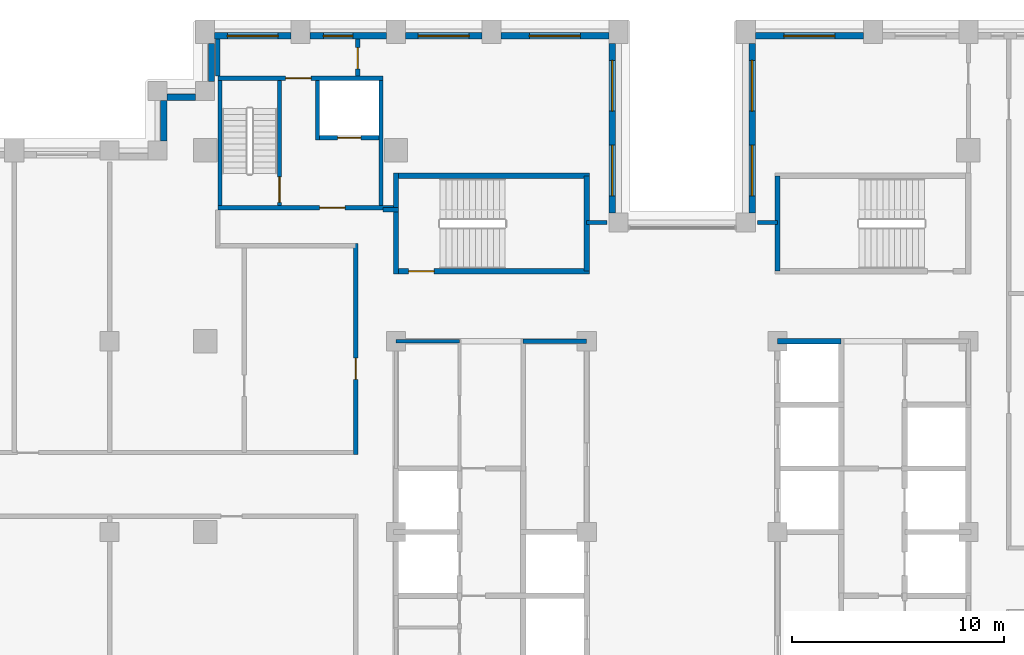
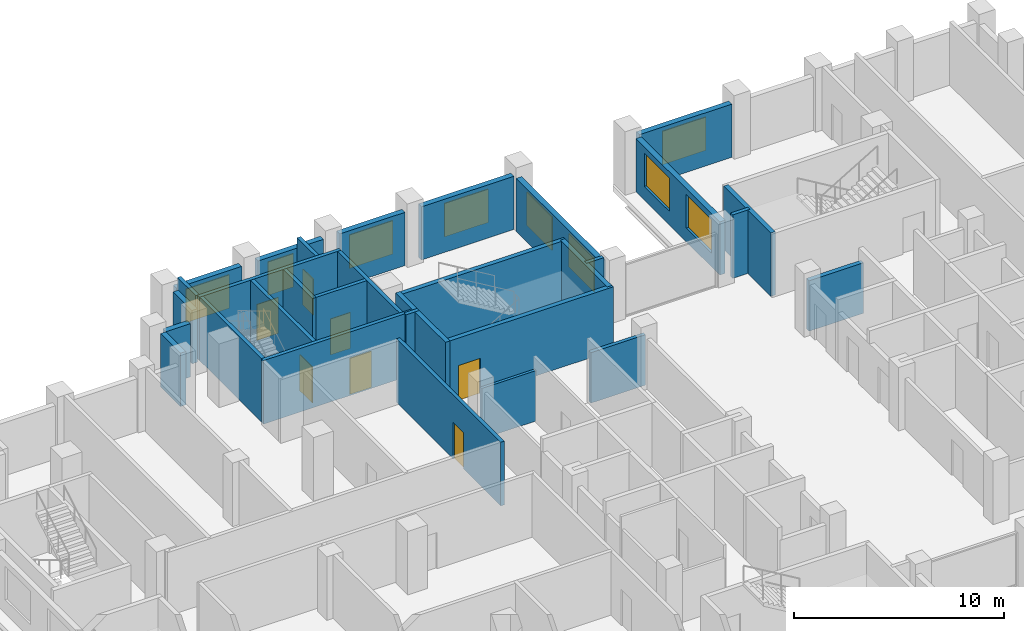
# One storey, part 10 of 15: 31 walls, 9 windows, 7 doors, 16 openings.
"""IFC4 building model written with IfcOpenShell, lengths in metres."""

import ifcopenshell
import ifcopenshell.guid

model = None  # the IFC model being written
_history = None  # IfcOwnerHistory: only IFC2X3 demands one
_inside = {}  # id of a spatial element -> (the spatial element, [elements in it])
_under = {}  # id of a project, library or spatial element -> (it, [spatial elements below it])
_declared = {}  # id of a project -> (the project, [libraries it declares])
_typed = {}  # id of a type object -> (the type object, [elements of that type])
_made_of = {}  # id of a material, layer set ... -> (it, [elements and type objects made of it])


def new_model(schema):
    """Start an empty IFC model of exactly this schema.

    Asked for "IFC4X3", IfcOpenShell would pick the latest addendum, in which some entities
    have other attributes; the version numbers below select the first issue.
    IFC2X3 requires an IfcOwnerHistory on every rooted entity: one is made here for all.
    """
    global model, _history
    if schema == "IFC4X3":
        model = ifcopenshell.file(schema_version=(4, 3, 0, 0))
    else:
        model = ifcopenshell.file(schema=schema)
    _inside.clear()
    _under.clear()
    _declared.clear()
    _typed.clear()
    _made_of.clear()
    _history = None
    if model.schema == "IFC2X3":
        org = make("IfcOrganization", Name="unknown")
        user = make(
            "IfcPersonAndOrganization",
            ThePerson=make("IfcPerson", FamilyName="unknown"),
            TheOrganization=org,
        )
        app = make(
            "IfcApplication",
            ApplicationDeveloper=org,
            Version="unknown",
            ApplicationFullName="unknown",
            ApplicationIdentifier="unknown",
        )
        _history = make(
            "IfcOwnerHistory",
            OwningUser=user,
            OwningApplication=app,
            ChangeAction="ADDED",
            CreationDate=0,
        )
    return model


def make(cls, **values):
    """One entity of the class cls with the attributes given. An attribute that is None is left unset."""
    return model.create_entity(
        cls, **{name: value for name, value in values.items() if value is not None}
    )


def rooted(cls, **values):
    """An entity with a GlobalId (a new one), such as an element, a storey or a relation."""
    return make(cls, GlobalId=ifcopenshell.guid.new(), OwnerHistory=_history, **values)


def si_unit(unit_type, name, prefix=None):
    """IfcSIUnit, for example si_unit("LENGTHUNIT", "METRE", prefix="MILLI")."""
    return make("IfcSIUnit", UnitType=unit_type, Prefix=prefix, Name=name)


def assignment(units):
    """IfcUnitAssignment: the units of a project."""
    return None if units is None else make("IfcUnitAssignment", Units=units)


def point(xyz):
    """IfcCartesianPoint."""
    return None if xyz is None else make("IfcCartesianPoint", Coordinates=xyz)


def direction(xyz):
    """IfcDirection."""
    return None if xyz is None else make("IfcDirection", DirectionRatios=xyz)


def frame(location, z_axis=None, x_axis=None):
    """IfcAxis2Placement3D, a coordinate frame: its origin and axes. An axis left out is left unset."""
    return make(
        "IfcAxis2Placement3D",
        Location=point(location),
        Axis=direction(z_axis),
        RefDirection=direction(x_axis),
    )


def frame_2d(location, x_axis=None):
    """IfcAxis2Placement2D, a coordinate frame in the plane: its origin and x axis."""
    return make(
        "IfcAxis2Placement2D", Location=point(location), RefDirection=direction(x_axis)
    )


def origin():
    """The frame at (0, 0, 0) with its axes left unset."""
    return frame((0.0, 0.0, 0.0))


def place(relative_to, where):
    """IfcLocalPlacement: puts the frame where relative to a parent placement (None: the world)."""
    return make(
        "IfcLocalPlacement", PlacementRelTo=relative_to, RelativePlacement=where
    )


def context(
    kind, dimensions, precision=None, world=None, true_north=None, identifier=None
):
    """IfcGeometricRepresentationContext, for example the 3D "Model" context."""
    return make(
        "IfcGeometricRepresentationContext",
        ContextIdentifier=identifier,
        ContextType=kind,
        CoordinateSpaceDimension=dimensions,
        Precision=precision,
        WorldCoordinateSystem=world,
        TrueNorth=true_north,
    )


def subcontext(parent, identifier, kind, view, scale=None):
    """IfcGeometricRepresentationSubContext, for example "Body" below "Model"."""
    return make(
        "IfcGeometricRepresentationSubContext",
        ContextIdentifier=identifier,
        ContextType=kind,
        ParentContext=parent,
        TargetScale=scale,
        TargetView=view,
    )


def project(units=None, contexts=None):
    """IfcProject with its units and contexts."""
    return rooted(
        "IfcProject",
        Name="project",
        RepresentationContexts=contexts,
        UnitsInContext=assignment(units),
    )


def spatial(cls, under=None, at=None, **own):
    """A site, building, storey or space (cls), placed at a placement, below another one or the project."""
    s = rooted(cls, ObjectPlacement=at, **own)
    if under is not None:
        _under.setdefault(under.id(), (under, []))[1].append(s)
    return s


def profile(cls, at=None, kind="AREA", **sizes):
    """A parametric profile (cls). Its sizes go by their IFC names, for example OverallWidth=200.0."""
    return make(cls, ProfileType=kind, Position=at, **sizes)


def rectangle(**sizes):
    """IfcRectangleProfileDef."""
    return profile("IfcRectangleProfileDef", **sizes)


def extrude(swept, where, along, depth):
    """IfcExtrudedAreaSolid: the profile swept, set in the frame where, extruded along a direction by depth."""
    return make(
        "IfcExtrudedAreaSolid",
        SweptArea=swept,
        Position=where,
        ExtrudedDirection=direction(along),
        Depth=depth,
    )


def shape(context_of_items, identifier, shape_type, items):
    """IfcShapeRepresentation: the items that make up one representation, for example the "Body"."""
    return make(
        "IfcShapeRepresentation",
        ContextOfItems=context_of_items,
        RepresentationIdentifier=identifier,
        RepresentationType=shape_type,
        Items=items,
    )


def material(Name=None, Category=None):
    """IfcMaterial."""
    return make("IfcMaterial", Name=Name, Category=Category)


def layer(
    of_material, thickness, ventilated=None, Name=None, Category=None, Priority=None
):
    """IfcMaterialLayer: one layer of a wall or slab, of a material (None: an air gap)."""
    return make(
        "IfcMaterialLayer",
        Material=of_material,
        LayerThickness=thickness,
        IsVentilated=ventilated,
        Name=Name,
        Category=Category,
        Priority=Priority,
    )


def layer_set(layers, Name=None):
    """IfcMaterialLayerSet."""
    return make("IfcMaterialLayerSet", MaterialLayers=layers, LayerSetName=Name)


def made_of(thing, what):
    """Note that an element or type object is made of a material, layer set ...; save() writes the relation."""
    if what is not None:
        _made_of.setdefault(what.id(), (what, []))[1].append(thing)
    return thing


def type_object(cls, material=None, **own):
    """A type object (cls), such as IfcWallType, which elements share."""
    return made_of(rooted(cls, **own), material)


def element(
    cls,
    number,
    at=None,
    inside=None,
    cuts=None,
    type_object=None,
    material=None,
    context=None,
    identifier="Body",
    shape_type=None,
    held_by="IfcProductDefinitionShape",
    body=None,
    shapes=None,
    **own,
):
    """One element of the class cls, such as IfcWall. Its Tag is "e" and its number.

    at: its placement. inside: the storey or other place that contains it. cuts: it is an
    opening in that element (IfcRelVoidsElement). A single representation is given by context,
    identifier, shape_type and body (its items); several are given by shapes. held_by: the class
    of the entity that holds the representations. save() writes the other relations.
    """
    e = rooted(cls, Tag="e%d" % number, ObjectPlacement=at, **own)
    if body is not None:
        shapes = [shape(context, identifier, shape_type, body)]
    if shapes is not None:
        e.Representation = make(held_by, Representations=shapes)
    if inside is not None:
        _inside.setdefault(inside.id(), (inside, []))[1].append(e)
    if cuts is not None:
        rooted(
            "IfcRelVoidsElement", RelatingBuildingElement=cuts, RelatedOpeningElement=e
        )
    if type_object is not None:
        _typed.setdefault(type_object.id(), (type_object, []))[1].append(e)
    return made_of(e, material)


def fill(opening, filler):
    """IfcRelFillsElement: the door or window that sits in an opening."""
    return rooted(
        "IfcRelFillsElement",
        RelatingOpeningElement=opening,
        RelatedBuildingElement=filler,
    )


def aggregate(whole, parts):
    """IfcRelAggregates: a whole, such as a stair, and the parts it consists of."""
    return rooted("IfcRelAggregates", RelatingObject=whole, RelatedObjects=parts)


def save(model, path):
    """Write the relations noted so far, then the file.

    IfcRelAggregates (storeys below a building ...), IfcRelContainedInSpatialStructure (elements
    in a storey), IfcRelDefinesByType, IfcRelAssociatesMaterial and IfcRelDeclares: one each for
    every whole, place, type object, material and project.
    """
    for whole, parts in _under.values():
        aggregate(whole, parts)
    for where, things in _inside.values():
        rooted(
            "IfcRelContainedInSpatialStructure",
            RelatedElements=things,
            RelatingStructure=where,
        )
    for kind, things in _typed.values():
        rooted("IfcRelDefinesByType", RelatedObjects=things, RelatingType=kind)
    for what, things in _made_of.values():
        rooted("IfcRelAssociatesMaterial", RelatedObjects=things, RelatingMaterial=what)
    for by, libraries in _declared.values():
        rooted("IfcRelDeclares", RelatingContext=by, RelatedDefinitions=libraries)
    model.write(path)


model = new_model("IFC4")

# Units and contexts
model_context = context("Model", 3, precision=1e-05, world=origin(), true_north=direction((0.0, 1.0)))
body_context = subcontext(model_context, "Body", "Model", "MODEL_VIEW")
ifc_project = project(units=[si_unit("LENGTHUNIT", "METRE"), si_unit("AREAUNIT", "SQUARE_METRE"), si_unit("VOLUMEUNIT", "CUBIC_METRE"), si_unit("PLANEANGLEUNIT", "RADIAN"), si_unit("MASSUNIT", "GRAM", prefix="KILO")], contexts=[model_context])

# Site, building, storey
site_placement = place(None, origin())
site = spatial("IfcSite", under=ifc_project, at=site_placement, CompositionType="ELEMENT")
building_placement = place(site_placement, origin())
building = spatial("IfcBuilding", under=site, at=building_placement, Name="Corbelhall Arena Tower", CompositionType="ELEMENT")
storey_placement = place(building_placement, frame((0.0, 0.0, 162.0)))
storey = spatial("IfcBuildingStorey", under=building, at=storey_placement, Name="L32", CompositionType="ELEMENT", Elevation=162.0)

# Walls
ifc_material_1 = material(Name="Precast concrete C40/50 with granite facing", Category="masonry")
ifc_layer_1 = layer(ifc_material_1, 0.300048828125)
ifc_layer_set_1 = layer_set([ifc_layer_1], Name="EV-IW1 Infill panel 300")
wall_type_1 = type_object("IfcWallType", Name="EV-IW1 Infill panel 300", PredefinedType="SOLIDWALL", material=ifc_layer_set_1)
wall_1_placement = place(storey_placement, frame((-22.199951171875, 23.050048828125, 0.0), z_axis=(0.0, 0.0, 1.0), x_axis=(0.0, -1.0, 0.0)))
element("IfcWall", 1, at=wall_1_placement, inside=storey, type_object=wall_type_1, Name="Infill panel IW1", PredefinedType="SOLIDWALL", context=body_context, shape_type="SweptSolid", body=[
    extrude(rectangle(XDim=1.800048828125, YDim=0.300048828125, at=frame_2d((0.89990234375, 0.0))), origin(), (0.0, 0.0, 1.0), 3.10009765625),
])
wall_2_placement = place(storey_placement, frame((-22.949951171875, 20.5, 0.0), z_axis=(0.0, 0.0, 1.0), x_axis=(-1.0, 0.0, 0.0)))
element("IfcWall", 2, at=wall_2_placement, inside=storey, type_object=wall_type_1, Name="Infill panel IW1", PredefinedType="SOLIDWALL", context=body_context, shape_type="SweptSolid", body=[
    extrude(rectangle(XDim=1.35009765625, YDim=0.300048828125, at=frame_2d((0.675048828125, 0.0))), origin(), (0.0, 0.0, 1.0), 3.10009765625),
])
wall_3_placement = place(storey_placement, frame((-24.449951171875, 20.35009765625, 0.0), z_axis=(0.0, 0.0, 1.0), x_axis=(0.0, -1.0, 0.0)))
element("IfcWall", 3, at=wall_3_placement, inside=storey, type_object=wall_type_1, Name="Infill panel IW1", PredefinedType="SOLIDWALL", context=body_context, shape_type="SweptSolid", body=[
    extrude(rectangle(XDim=1.900146484375, YDim=0.300048828125, at=frame_2d((0.9501953125, 0.0))), origin(), (0.0, 0.0, 1.0), 3.10009765625),
])

# Wall, opening, window
wall_4_placement = place(storey_placement, frame((8.550048828125, 23.39990234375, 0.0), z_axis=(0.0, 0.0, 1.0), x_axis=(-1.0, 0.0, 0.0)))
wall_4 = element("IfcWall", 4, at=wall_4_placement, inside=storey, type_object=wall_type_1, Name="Infill panel IW1", PredefinedType="SOLIDWALL", context=body_context, shape_type="SweptSolid", body=[
    extrude(rectangle(XDim=5.10009765625, YDim=0.300048828125, at=frame_2d((2.550048828125, 0.0))), origin(), (0.0, 0.0, 1.0), 3.10009765625),
])
opening_1_placement = place(wall_4_placement, frame((1.35009765625, 0.0, 0.800048828125)))
opening_1 = element("IfcOpeningElement", 5, at=opening_1_placement, cuts=wall_4, Name="Opening WN1", PredefinedType="OPENING", context=body_context, shape_type="SweptSolid", body=[
    extrude(rectangle(XDim=2.39990234375, YDim=1.949951171875, at=frame_2d((1.199951171875, 0.97509765625))), frame((0.0, 0.14990234375, 0.0), z_axis=(0.0, -1.0, 0.0), x_axis=(1.0, 0.0, 0.0)), (0.0, 0.0, 1.0), 0.300048828125),
])
ifc_material_2 = material(Name="Aluminium black anodised", Category="aluminium")
window_type_1 = type_object("IfcWindowType", Name="EV-WN1 Office window", PartitioningType="SINGLE_PANEL", PredefinedType="WINDOW", material=ifc_material_2)
window_1_placement = place(opening_1_placement, origin())
window_1 = element("IfcWindow", 6, at=window_1_placement, inside=storey, type_object=window_type_1, Name="Window WN1", OverallHeight=1.949951171875, OverallWidth=2.39990234375, PartitioningType="SINGLE_PANEL", PredefinedType="WINDOW", context=body_context, shape_type="SweptSolid", body=[
    extrude(rectangle(XDim=2.39990234375, YDim=1.949951171875, at=frame_2d((1.199951171875, 0.97509765625))), frame((0.0, 0.030029296875, 0.0), z_axis=(0.0, -1.0, 0.0), x_axis=(1.0, 0.0, 0.0)), (0.0, 0.0, 1.0), 0.06005859375),
])
fill(opening_1, window_1)

# Wall, openings, windows
wall_5_placement = place(storey_placement, frame((3.300048828125, 23.050048828125, 0.0), z_axis=(0.0, 0.0, 1.0), x_axis=(0.0, -1.0, 0.0)))
wall_5 = element("IfcWall", 7, at=wall_5_placement, inside=storey, type_object=wall_type_1, Name="Infill panel IW1", PredefinedType="SOLIDWALL", context=body_context, shape_type="SweptSolid", body=[
    extrude(rectangle(XDim=8.0, YDim=0.300048828125, at=frame_2d((4.0, 0.0))), origin(), (0.0, 0.0, 1.0), 3.10009765625),
])
opening_2_placement = place(wall_5_placement, frame((0.800048828125, 0.0, 0.800048828125)))
opening_2 = element("IfcOpeningElement", 8, at=opening_2_placement, cuts=wall_5, Name="Opening WN1", PredefinedType="OPENING", context=body_context, shape_type="SweptSolid", body=[
    extrude(rectangle(XDim=2.39990234375, YDim=1.949951171875, at=frame_2d((1.199951171875, 0.97509765625))), frame((0.0, 0.14990234375, 0.0), z_axis=(0.0, -1.0, 0.0), x_axis=(1.0, 0.0, 0.0)), (0.0, 0.0, 1.0), 0.300048828125),
])
opening_3_placement = place(wall_5_placement, frame((4.800048828125, 0.0, 0.800048828125)))
opening_3 = element("IfcOpeningElement", 9, at=opening_3_placement, cuts=wall_5, Name="Opening WN1", PredefinedType="OPENING", context=body_context, shape_type="SweptSolid", body=[
    extrude(rectangle(XDim=2.39990234375, YDim=1.949951171875, at=frame_2d((1.199951171875, 0.97509765625))), frame((0.0, 0.14990234375, 0.0), z_axis=(0.0, -1.0, 0.0), x_axis=(1.0, 0.0, 0.0)), (0.0, 0.0, 1.0), 0.300048828125),
])
window_2_placement = place(opening_2_placement, origin())
window_2 = element("IfcWindow", 10, at=window_2_placement, inside=storey, type_object=window_type_1, Name="Window WN1", OverallHeight=1.949951171875, OverallWidth=2.39990234375, PartitioningType="SINGLE_PANEL", PredefinedType="WINDOW", context=body_context, shape_type="SweptSolid", body=[
    extrude(rectangle(XDim=2.39990234375, YDim=1.949951171875, at=frame_2d((1.199951171875, 0.97509765625))), frame((0.0, 0.030029296875, 0.0), z_axis=(0.0, -1.0, 0.0), x_axis=(1.0, 0.0, 0.0)), (0.0, 0.0, 1.0), 0.06005859375),
])
fill(opening_2, window_2)
window_3_placement = place(opening_3_placement, origin())
window_3 = element("IfcWindow", 11, at=window_3_placement, inside=storey, type_object=window_type_1, Name="Window WN1", OverallHeight=1.949951171875, OverallWidth=2.39990234375, PartitioningType="SINGLE_PANEL", PredefinedType="WINDOW", context=body_context, shape_type="SweptSolid", body=[
    extrude(rectangle(XDim=2.39990234375, YDim=1.949951171875, at=frame_2d((1.199951171875, 0.97509765625))), frame((0.0, 0.030029296875, 0.0), z_axis=(0.0, -1.0, 0.0), x_axis=(1.0, 0.0, 0.0)), (0.0, 0.0, 1.0), 0.06005859375),
])
fill(opening_3, window_3)

wall_6_placement = place(storey_placement, frame((-3.300048828125, 15.050048828125, 0.0), z_axis=(0.0, 0.0, 1.0), x_axis=(0.0, 1.0, 0.0)))
wall_6 = element("IfcWall", 12, at=wall_6_placement, inside=storey, type_object=wall_type_1, Name="Infill panel IW1", PredefinedType="SOLIDWALL", context=body_context, shape_type="SweptSolid", body=[
    extrude(rectangle(XDim=8.0, YDim=0.300048828125, at=frame_2d((4.0, 0.0))), origin(), (0.0, 0.0, 1.0), 3.10009765625),
])
opening_4_placement = place(wall_6_placement, frame((0.800048828125, 0.0, 0.800048828125)))
opening_4 = element("IfcOpeningElement", 13, at=opening_4_placement, cuts=wall_6, Name="Opening WN1", PredefinedType="OPENING", context=body_context, shape_type="SweptSolid", body=[
    extrude(rectangle(XDim=2.39990234375, YDim=1.949951171875, at=frame_2d((1.199951171875, 0.97509765625))), frame((0.0, 0.14990234375, 0.0), z_axis=(0.0, -1.0, 0.0), x_axis=(1.0, 0.0, 0.0)), (0.0, 0.0, 1.0), 0.300048828125),
])
opening_5_placement = place(wall_6_placement, frame((4.800048828125, 0.0, 0.800048828125)))
opening_5 = element("IfcOpeningElement", 14, at=opening_5_placement, cuts=wall_6, Name="Opening WN1", PredefinedType="OPENING", context=body_context, shape_type="SweptSolid", body=[
    extrude(rectangle(XDim=2.39990234375, YDim=1.949951171875, at=frame_2d((1.199951171875, 0.97509765625))), frame((0.0, 0.14990234375, 0.0), z_axis=(0.0, -1.0, 0.0), x_axis=(1.0, 0.0, 0.0)), (0.0, 0.0, 1.0), 0.300048828125),
])
window_4_placement = place(opening_4_placement, origin())
window_4 = element("IfcWindow", 15, at=window_4_placement, inside=storey, type_object=window_type_1, Name="Window WN1", OverallHeight=1.949951171875, OverallWidth=2.39990234375, PartitioningType="SINGLE_PANEL", PredefinedType="WINDOW", context=body_context, shape_type="SweptSolid", body=[
    extrude(rectangle(XDim=2.39990234375, YDim=1.949951171875, at=frame_2d((1.199951171875, 0.97509765625))), frame((0.0, 0.030029296875, 0.0), z_axis=(0.0, -1.0, 0.0), x_axis=(1.0, 0.0, 0.0)), (0.0, 0.0, 1.0), 0.06005859375),
])
fill(opening_4, window_4)
window_5_placement = place(opening_5_placement, origin())
window_5 = element("IfcWindow", 16, at=window_5_placement, inside=storey, type_object=window_type_1, Name="Window WN1", OverallHeight=1.949951171875, OverallWidth=2.39990234375, PartitioningType="SINGLE_PANEL", PredefinedType="WINDOW", context=body_context, shape_type="SweptSolid", body=[
    extrude(rectangle(XDim=2.39990234375, YDim=1.949951171875, at=frame_2d((1.199951171875, 0.97509765625))), frame((0.0, 0.030029296875, 0.0), z_axis=(0.0, -1.0, 0.0), x_axis=(1.0, 0.0, 0.0)), (0.0, 0.0, 1.0), 0.06005859375),
])
fill(opening_5, window_5)

# Wall, opening, window
wall_7_placement = place(storey_placement, frame((-3.449951171875, 23.39990234375, 0.0), z_axis=(0.0, 0.0, 1.0), x_axis=(-1.0, 0.0, 0.0)))
wall_7 = element("IfcWall", 17, at=wall_7_placement, inside=storey, type_object=wall_type_1, Name="Infill panel IW1", PredefinedType="SOLIDWALL", context=body_context, shape_type="SweptSolid", body=[
    extrude(rectangle(XDim=5.10009765625, YDim=0.300048828125, at=frame_2d((2.550048828125, 0.0))), origin(), (0.0, 0.0, 1.0), 3.10009765625),
])
opening_6_placement = place(wall_7_placement, frame((1.35009765625, 0.0, 0.800048828125)))
opening_6 = element("IfcOpeningElement", 18, at=opening_6_placement, cuts=wall_7, Name="Opening WN1", PredefinedType="OPENING", context=body_context, shape_type="SweptSolid", body=[
    extrude(rectangle(XDim=2.39990234375, YDim=1.949951171875, at=frame_2d((1.199951171875, 0.97509765625))), frame((0.0, 0.14990234375, 0.0), z_axis=(0.0, -1.0, 0.0), x_axis=(1.0, 0.0, 0.0)), (0.0, 0.0, 1.0), 0.300048828125),
])
window_6_placement = place(opening_6_placement, origin())
window_6 = element("IfcWindow", 19, at=window_6_placement, inside=storey, type_object=window_type_1, Name="Window WN1", OverallHeight=1.949951171875, OverallWidth=2.39990234375, PartitioningType="SINGLE_PANEL", PredefinedType="WINDOW", context=body_context, shape_type="SweptSolid", body=[
    extrude(rectangle(XDim=2.39990234375, YDim=1.949951171875, at=frame_2d((1.199951171875, 0.97509765625))), frame((0.0, 0.030029296875, 0.0), z_axis=(0.0, -1.0, 0.0), x_axis=(1.0, 0.0, 0.0)), (0.0, 0.0, 1.0), 0.06005859375),
])
fill(opening_6, window_6)

wall_8_placement = place(storey_placement, frame((-9.449951171875, 23.39990234375, 0.0), z_axis=(0.0, 0.0, 1.0), x_axis=(-1.0, 0.0, 0.0)))
wall_8 = element("IfcWall", 20, at=wall_8_placement, inside=storey, type_object=wall_type_1, Name="Infill panel IW1", PredefinedType="SOLIDWALL", context=body_context, shape_type="SweptSolid", body=[
    extrude(rectangle(XDim=3.60009765625, YDim=0.300048828125, at=frame_2d((1.800048828125, 0.0))), origin(), (0.0, 0.0, 1.0), 3.10009765625),
])
opening_7_placement = place(wall_8_placement, frame((0.60009765625, 0.0, 0.800048828125)))
opening_7 = element("IfcOpeningElement", 21, at=opening_7_placement, cuts=wall_8, Name="Opening WN1", PredefinedType="OPENING", context=body_context, shape_type="SweptSolid", body=[
    extrude(rectangle(XDim=2.39990234375, YDim=1.949951171875, at=frame_2d((1.199951171875, 0.97509765625))), frame((0.0, 0.14990234375, 0.0), z_axis=(0.0, -1.0, 0.0), x_axis=(1.0, 0.0, 0.0)), (0.0, 0.0, 1.0), 0.300048828125),
])
window_7_placement = place(opening_7_placement, origin())
window_7 = element("IfcWindow", 22, at=window_7_placement, inside=storey, type_object=window_type_1, Name="Window WN1", OverallHeight=1.949951171875, OverallWidth=2.39990234375, PartitioningType="SINGLE_PANEL", PredefinedType="WINDOW", context=body_context, shape_type="SweptSolid", body=[
    extrude(rectangle(XDim=2.39990234375, YDim=1.949951171875, at=frame_2d((1.199951171875, 0.97509765625))), frame((0.0, 0.030029296875, 0.0), z_axis=(0.0, -1.0, 0.0), x_axis=(1.0, 0.0, 0.0)), (0.0, 0.0, 1.0), 0.06005859375),
])
fill(opening_7, window_7)

wall_9_placement = place(storey_placement, frame((-13.949951171875, 23.39990234375, 0.0), z_axis=(0.0, 0.0, 1.0), x_axis=(-1.0, 0.0, 0.0)))
wall_9 = element("IfcWall", 23, at=wall_9_placement, inside=storey, type_object=wall_type_1, Name="Infill panel IW1", PredefinedType="SOLIDWALL", context=body_context, shape_type="SweptSolid", body=[
    extrude(rectangle(XDim=3.60009765625, YDim=0.300048828125, at=frame_2d((1.800048828125, 0.0))), origin(), (0.0, 0.0, 1.0), 3.10009765625),
])
opening_8_placement = place(wall_9_placement, frame((1.574951171875, 0.0, 0.800048828125)))
opening_8 = element("IfcOpeningElement", 24, at=opening_8_placement, cuts=wall_9, Name="Opening WN7", PredefinedType="OPENING", context=body_context, shape_type="SweptSolid", body=[
    extrude(rectangle(XDim=1.39990234375, YDim=1.949951171875, at=frame_2d((0.699951171875, 0.97509765625))), frame((0.0, 0.14990234375, 0.0), z_axis=(0.0, -1.0, 0.0), x_axis=(1.0, 0.0, 0.0)), (0.0, 0.0, 1.0), 0.300048828125),
])
window_type_2 = type_object("IfcWindowType", Name="EV-WN7 Office window 1400", PartitioningType="SINGLE_PANEL", PredefinedType="WINDOW", material=ifc_material_2)
window_8_placement = place(opening_8_placement, origin())
window_8 = element("IfcWindow", 25, at=window_8_placement, inside=storey, type_object=window_type_2, Name="Window WN7", OverallHeight=1.949951171875, OverallWidth=1.39990234375, PartitioningType="SINGLE_PANEL", PredefinedType="WINDOW", context=body_context, shape_type="SweptSolid", body=[
    extrude(rectangle(XDim=1.39990234375, YDim=1.949951171875, at=frame_2d((0.699951171875, 0.97509765625))), frame((0.0, 0.030029296875, 0.0), z_axis=(0.0, -1.0, 0.0), x_axis=(1.0, 0.0, 0.0)), (0.0, 0.0, 1.0), 0.06005859375),
])
fill(opening_8, window_8)

wall_10_placement = place(storey_placement, frame((-18.449951171875, 23.39990234375, 0.0), z_axis=(0.0, 0.0, 1.0), x_axis=(-1.0, 0.0, 0.0)))
wall_10 = element("IfcWall", 26, at=wall_10_placement, inside=storey, type_object=wall_type_1, Name="Infill panel IW1", PredefinedType="SOLIDWALL", context=body_context, shape_type="SweptSolid", body=[
    extrude(rectangle(XDim=3.60009765625, YDim=0.300048828125, at=frame_2d((1.800048828125, 0.0))), origin(), (0.0, 0.0, 1.0), 3.10009765625),
])
opening_9_placement = place(wall_10_placement, frame((0.60009765625, 0.0, 0.800048828125)))
opening_9 = element("IfcOpeningElement", 27, at=opening_9_placement, cuts=wall_10, Name="Opening WN1", PredefinedType="OPENING", context=body_context, shape_type="SweptSolid", body=[
    extrude(rectangle(XDim=2.39990234375, YDim=1.949951171875, at=frame_2d((1.199951171875, 0.97509765625))), frame((0.0, 0.14990234375, 0.0), z_axis=(0.0, -1.0, 0.0), x_axis=(1.0, 0.0, 0.0)), (0.0, 0.0, 1.0), 0.300048828125),
])
window_9_placement = place(opening_9_placement, origin())
window_9 = element("IfcWindow", 28, at=window_9_placement, inside=storey, type_object=window_type_1, Name="Window WN1", OverallHeight=1.949951171875, OverallWidth=2.39990234375, PartitioningType="SINGLE_PANEL", PredefinedType="WINDOW", context=body_context, shape_type="SweptSolid", body=[
    extrude(rectangle(XDim=2.39990234375, YDim=1.949951171875, at=frame_2d((1.199951171875, 0.97509765625))), frame((0.0, 0.030029296875, 0.0), z_axis=(0.0, -1.0, 0.0), x_axis=(1.0, 0.0, 0.0)), (0.0, 0.0, 1.0), 0.06005859375),
])
fill(opening_9, window_9)

# Wall
ifc_material_3 = material(Name="Gypsum board on steel stud, acoustic", Category="steel")
ifc_layer_2 = layer(ifc_material_3, 0.199951171875)
ifc_layer_set_2 = layer_set([ifc_layer_2], Name="IN-W-DM200")
wall_type_2 = type_object("IfcWallType", Name="IN-W-DM200", PredefinedType="PARTITIONING", material=ifc_layer_set_2)
wall_11_placement = place(storey_placement, frame((-21.89990234375, 21.5, 0.0), z_axis=(0.0, 0.0, 1.0), x_axis=(0.0, 1.0, 0.0)))
element("IfcWall", 29, at=wall_11_placement, inside=storey, type_object=wall_type_2, Name="Partition 014", PredefinedType="PARTITIONING", context=body_context, shape_type="SweptSolid", body=[
    extrude(rectangle(XDim=1.75, YDim=0.199951171875, at=frame_2d((0.875, 0.0))), origin(), (0.0, 0.0, 1.0), 3.699951171875),
])

# Wall, opening, door
wall_12_placement = place(storey_placement, frame((-15.39990234375, 3.64990234375, 0.0), z_axis=(0.0, 0.0, 1.0), x_axis=(0.0, 1.0, 0.0)))
wall_12 = element("IfcWall", 30, at=wall_12_placement, inside=storey, type_object=wall_type_2, Name="Partition 019", PredefinedType="PARTITIONING", context=body_context, shape_type="SweptSolid", body=[
    extrude(rectangle(XDim=9.9501953125, YDim=0.199951171875, at=frame_2d((4.97509765625, 0.0))), origin(), (0.0, 0.0, 1.0), 3.699951171875),
])
opening_10_placement = place(wall_12_placement, frame((3.550048828125, 0.0, 0.0)))
opening_10 = element("IfcOpeningElement", 31, at=opening_10_placement, cuts=wall_12, Name="Opening 09024", PredefinedType="OPENING", context=body_context, shape_type="SweptSolid", body=[
    extrude(rectangle(XDim=1.0, YDim=2.10009765625, at=frame_2d((0.5, 1.050048828125))), frame((0.0, 0.10009765625, 0.0), z_axis=(0.0, -1.0, 0.0), x_axis=(1.0, 0.0, 0.0)), (0.0, 0.0, 1.0), 0.199951171875),
])
ifc_material_4 = material(Name="Steel door set", Category="steel")
door_type_1 = type_object("IfcDoorType", Name="IN-D-SW100", OperationType="NOTDEFINED", PredefinedType="DOOR", material=ifc_material_4)
door_1_placement = place(opening_10_placement, origin())
door_1 = element("IfcDoor", 32, at=door_1_placement, inside=storey, type_object=door_type_1, Name="Door 024", OperationType="SINGLE_SWING_LEFT", OverallHeight=2.10009765625, OverallWidth=1.0, PredefinedType="DOOR", context=body_context, shape_type="SweptSolid", body=[
    extrude(rectangle(XDim=1.0, YDim=2.10009765625, at=frame_2d((0.5, 1.050048828125))), frame((0.0, 0.02490234375, 0.0), z_axis=(0.0, -1.0, 0.0), x_axis=(1.0, 0.0, 0.0)), (0.0, 0.0, 1.0), 0.050048828125),
])
fill(opening_10, door_1)

wall_13_placement = place(storey_placement, frame((-15.300048828125, 23.25, 0.0), z_axis=(0.0, 0.0, 1.0), x_axis=(0.0, -1.0, 0.0)))
wall_13 = element("IfcWall", 33, at=wall_13_placement, inside=storey, type_object=wall_type_2, Name="Partition 020", PredefinedType="PARTITIONING", context=body_context, shape_type="SweptSolid", body=[
    extrude(rectangle(XDim=1.75, YDim=0.199951171875, at=frame_2d((0.875, 0.0))), origin(), (0.0, 0.0, 1.0), 3.699951171875),
])
opening_11_placement = place(wall_13_placement, frame((0.39990234375, 0.0, 0.0)))
opening_11 = element("IfcOpeningElement", 34, at=opening_11_placement, cuts=wall_13, Name="Opening 09020", PredefinedType="OPENING", context=body_context, shape_type="SweptSolid", body=[
    extrude(rectangle(XDim=1.0, YDim=2.10009765625, at=frame_2d((0.5, 1.050048828125))), frame((0.0, 0.10009765625, 0.0), z_axis=(0.0, -1.0, 0.0), x_axis=(1.0, 0.0, 0.0)), (0.0, 0.0, 1.0), 0.199951171875),
])
door_2_placement = place(opening_11_placement, origin())
door_2 = element("IfcDoor", 35, at=door_2_placement, inside=storey, type_object=door_type_1, Name="Door 020", OperationType="SINGLE_SWING_LEFT", OverallHeight=2.10009765625, OverallWidth=1.0, PredefinedType="DOOR", context=body_context, shape_type="SweptSolid", body=[
    extrude(rectangle(XDim=1.0, YDim=2.10009765625, at=frame_2d((0.5, 1.050048828125))), frame((0.0, 0.02490234375, 0.0), z_axis=(0.0, -1.0, 0.0), x_axis=(1.0, 0.0, 0.0)), (0.0, 0.0, 1.0), 0.050048828125),
])
fill(opening_11, door_2)

# Walls
wall_14_placement = place(storey_placement, frame((-14.10009765625, 15.199951171875, 0.0), z_axis=(0.0, 0.0, 1.0), x_axis=(1.0, 0.0, 0.0)))
element("IfcWall", 36, at=wall_14_placement, inside=storey, type_object=wall_type_2, Name="Partition 021", PredefinedType="PARTITIONING", context=body_context, shape_type="SweptSolid", body=[
    extrude(rectangle(XDim=0.72509765625, YDim=0.199951171875, at=frame_2d((0.362548828125, 0.0))), origin(), (0.0, 0.0, 1.0), 3.699951171875),
])
for number, where, z_axis, x_axis, name in (
    (37, (-4.5, 14.60009765625, 0.0), (0.0, 0.0, 1.0), (1.0, 0.0, 0.0), "Partition 023"),
    (38, (3.550048828125, 14.60009765625, 0.0), (0.0, 0.0, 1.0), (1.0, 0.0, 0.0), "Partition 025"),
):
    element("IfcWall", number, at=place(storey_placement, frame(where, z_axis=z_axis, x_axis=x_axis)), inside=storey, type_object=wall_type_2, Name=name, PredefinedType="PARTITIONING", context=body_context, shape_type="SweptSolid", body=[
        extrude(rectangle(XDim=0.949951171875, YDim=0.199951171875, at=frame_2d((0.47509765625, 0.0))), origin(), (0.0, 0.0, 1.0), 3.699951171875),
    ])

# Wall, opening, door
ifc_material_5 = material(Name="Concrete C40/50", Category="concrete")
ifc_layer_3 = layer(ifc_material_5, 0.199951171875)
ifc_layer_set_3 = layer_set([ifc_layer_3], Name="IN-W-EAR200")
wall_type_3 = type_object("IfcWallType", Name="IN-W-EAR200", PredefinedType="SOLIDWALL", material=ifc_layer_set_3)
wall_15_placement = place(storey_placement, frame((-21.89990234375, 15.300048828125, 0.0), z_axis=(0.0, 0.0, 1.0), x_axis=(1.0, 0.0, 0.0)))
wall_15 = element("IfcWall", 39, at=wall_15_placement, inside=storey, type_object=wall_type_3, Name="Fire service turret wall south", PredefinedType="SOLIDWALL", context=body_context, shape_type="SweptSolid", body=[
    extrude(rectangle(XDim=8.27490234375, YDim=0.199951171875, at=frame_2d((4.137451171875, 0.0))), origin(), (0.0, 0.0, 1.0), 3.699951171875),
])
opening_12_placement = place(wall_15_placement, frame((4.800048828125, 0.0, 0.0)))
opening_12 = element("IfcOpeningElement", 40, at=opening_12_placement, cuts=wall_15, Name="Opening E092", PredefinedType="OPENING", context=body_context, shape_type="SweptSolid", body=[
    extrude(rectangle(XDim=1.199951171875, YDim=2.10009765625, at=frame_2d((0.60009765625, 1.050048828125))), frame((0.0, 0.10009765625, 0.0), z_axis=(0.0, -1.0, 0.0), x_axis=(1.0, 0.0, 0.0)), (0.0, 0.0, 1.0), 0.199951171875),
])
door_type_2 = type_object("IfcDoorType", Name="IN-D-ST120", OperationType="NOTDEFINED", PredefinedType="DOOR", material=ifc_material_4)
door_3_placement = place(opening_12_placement, origin())
door_3 = element("IfcDoor", 41, at=door_3_placement, inside=storey, type_object=door_type_2, Name="Door from fire service lift lobby to circulation", OperationType="SINGLE_SWING_RIGHT", OverallHeight=2.10009765625, OverallWidth=1.199951171875, PredefinedType="DOOR", context=body_context, shape_type="SweptSolid", body=[
    extrude(rectangle(XDim=1.199951171875, YDim=2.10009765625, at=frame_2d((0.60009765625, 1.050048828125))), frame((0.0, 0.02490234375, 0.0), z_axis=(0.0, -1.0, 0.0), x_axis=(1.0, 0.0, 0.0)), (0.0, 0.0, 1.0), 0.050048828125),
])
fill(opening_12, door_3)

wall_16_placement = place(storey_placement, frame((-21.89990234375, 21.39990234375, 0.0), z_axis=(0.0, 0.0, 1.0), x_axis=(1.0, 0.0, 0.0)))
wall_16 = element("IfcWall", 42, at=wall_16_placement, inside=storey, type_object=wall_type_3, Name="Fire service turret wall north", PredefinedType="SOLIDWALL", context=body_context, shape_type="SweptSolid", body=[
    extrude(rectangle(XDim=7.7998046875, YDim=0.199951171875, at=frame_2d((3.89990234375, 0.0))), origin(), (0.0, 0.0, 1.0), 3.699951171875),
])
opening_13_placement = place(wall_16_placement, frame((3.199951171875, 0.0, 0.0)))
opening_13 = element("IfcOpeningElement", 43, at=opening_13_placement, cuts=wall_16, Name="Opening E093", PredefinedType="OPENING", context=body_context, shape_type="SweptSolid", body=[
    extrude(rectangle(XDim=1.199951171875, YDim=2.10009765625, at=frame_2d((0.60009765625, 1.050048828125))), frame((0.0, 0.10009765625, 0.0), z_axis=(0.0, -1.0, 0.0), x_axis=(1.0, 0.0, 0.0)), (0.0, 0.0, 1.0), 0.199951171875),
])
door_4_placement = place(opening_13_placement, origin())
door_4 = element("IfcDoor", 44, at=door_4_placement, inside=storey, type_object=door_type_2, Name="Door from fire service lift lobby to the north gallery", OperationType="SINGLE_SWING_LEFT", OverallHeight=2.10009765625, OverallWidth=1.199951171875, PredefinedType="DOOR", context=body_context, shape_type="SweptSolid", body=[
    extrude(rectangle(XDim=1.199951171875, YDim=2.10009765625, at=frame_2d((0.60009765625, 1.050048828125))), frame((0.0, 0.02490234375, 0.0), z_axis=(0.0, -1.0, 0.0), x_axis=(1.0, 0.0, 0.0)), (0.0, 0.0, 1.0), 0.050048828125),
])
fill(opening_13, door_4)

# Walls
for number, where, z_axis, x_axis, name in (
    (45, (-21.800048828125, 15.39990234375, 0.0), (0.0, 0.0, 1.0), (0.0, 1.0, 0.0), "Fire service turret wall west"),
    (46, (-14.199951171875, 15.39990234375, 0.0), (0.0, 0.0, 1.0), (0.0, 1.0, 0.0), "Fire service turret wall east"),
):
    element("IfcWall", number, at=place(storey_placement, frame(where, z_axis=z_axis, x_axis=x_axis)), inside=storey, type_object=wall_type_3, Name=name, PredefinedType="SOLIDWALL", context=body_context, shape_type="SweptSolid", body=[
        extrude(rectangle(XDim=5.900146484375, YDim=0.199951171875, at=frame_2d((2.9501953125, 0.0))), origin(), (0.0, 0.0, 1.0), 3.699951171875),
    ])

# Wall, opening, door
wall_17_placement = place(storey_placement, frame((-18.989990234375, 15.39990234375, 0.0), z_axis=(0.0, 0.0, 1.0), x_axis=(0.0, 1.0, 0.0)))
wall_17 = element("IfcWall", 47, at=wall_17_placement, inside=storey, type_object=wall_type_3, Name="Fire service turret wall stair", PredefinedType="SOLIDWALL", context=body_context, shape_type="SweptSolid", body=[
    extrude(rectangle(XDim=5.900146484375, YDim=0.199951171875, at=frame_2d((2.9501953125, 0.0))), origin(), (0.0, 0.0, 1.0), 3.699951171875),
])
opening_14_placement = place(wall_17_placement, frame((0.14990234375, 0.0, 0.0)))
opening_14 = element("IfcOpeningElement", 48, at=opening_14_placement, cuts=wall_17, Name="Opening E091", PredefinedType="OPENING", context=body_context, shape_type="SweptSolid", body=[
    extrude(rectangle(XDim=1.199951171875, YDim=2.10009765625, at=frame_2d((0.60009765625, 1.050048828125))), frame((0.0, 0.10009765625, 0.0), z_axis=(0.0, -1.0, 0.0), x_axis=(1.0, 0.0, 0.0)), (0.0, 0.0, 1.0), 0.199951171875),
])
door_5_placement = place(opening_14_placement, origin())
door_5 = element("IfcDoor", 49, at=door_5_placement, inside=storey, type_object=door_type_2, Name="Stair door to fire service lobby", OperationType="SINGLE_SWING_LEFT", OverallHeight=2.10009765625, OverallWidth=1.199951171875, PredefinedType="DOOR", context=body_context, shape_type="SweptSolid", body=[
    extrude(rectangle(XDim=1.199951171875, YDim=2.10009765625, at=frame_2d((0.60009765625, 1.050048828125))), frame((0.0, 0.02490234375, 0.0), z_axis=(0.0, -1.0, 0.0), x_axis=(1.0, 0.0, 0.0)), (0.0, 0.0, 1.0), 0.050048828125),
])
fill(opening_14, door_5)

# Wall
wall_18_placement = place(storey_placement, frame((-17.199951171875, 18.5, 0.0), z_axis=(0.0, 0.0, 1.0), x_axis=(0.0, 1.0, 0.0)))
element("IfcWall", 50, at=wall_18_placement, inside=storey, type_object=wall_type_3, Name="Fire service turret wall hoistway west", PredefinedType="SOLIDWALL", context=body_context, shape_type="SweptSolid", body=[
    extrude(rectangle(XDim=2.800048828125, YDim=0.199951171875, at=frame_2d((1.39990234375, 0.0))), origin(), (0.0, 0.0, 1.0), 3.699951171875),
])

# Wall, opening, door
wall_19_placement = place(storey_placement, frame((-17.10009765625, 18.60009765625, 0.0), z_axis=(0.0, 0.0, 1.0), x_axis=(1.0, 0.0, 0.0)))
wall_19 = element("IfcWall", 51, at=wall_19_placement, inside=storey, type_object=wall_type_3, Name="Fire service turret wall hoistway south", PredefinedType="SOLIDWALL", context=body_context, shape_type="SweptSolid", body=[
    extrude(rectangle(XDim=2.800048828125, YDim=0.199951171875, at=frame_2d((1.39990234375, 0.0))), origin(), (0.0, 0.0, 1.0), 3.699951171875),
])
opening_15_placement = place(wall_19_placement, frame((0.85009765625, 0.0, 0.0)))
opening_15 = element("IfcOpeningElement", 52, at=opening_15_placement, cuts=wall_19, Name="Opening LD", PredefinedType="OPENING", context=body_context, shape_type="SweptSolid", body=[
    extrude(rectangle(XDim=1.10009765625, YDim=2.10009765625, at=frame_2d((0.550048828125, 1.050048828125))), frame((0.0, 0.10009765625, 0.0), z_axis=(0.0, -1.0, 0.0), x_axis=(1.0, 0.0, 0.0)), (0.0, 0.0, 1.0), 0.199951171875),
])
door_type_3 = type_object("IfcDoorType", Name="IN-D-LD110", OperationType="NOTDEFINED", PredefinedType="DOOR", material=ifc_material_4)
door_6_placement = place(opening_15_placement, origin())
door_6 = element("IfcDoor", 53, at=door_6_placement, inside=storey, type_object=door_type_3, Name="Landing door FS1", OperationType="SLIDING_TO_LEFT", OverallHeight=2.10009765625, OverallWidth=1.10009765625, PredefinedType="DOOR", context=body_context, shape_type="SweptSolid", body=[
    extrude(rectangle(XDim=1.10009765625, YDim=2.10009765625, at=frame_2d((0.550048828125, 1.050048828125))), frame((0.0, 0.02490234375, 0.0), z_axis=(0.0, -1.0, 0.0), x_axis=(1.0, 0.0, 0.0)), (0.0, 0.0, 1.0), 0.050048828125),
])
fill(opening_15, door_6)

# Walls
ifc_material_6 = material(Name="Concrete block wall", Category="concrete")
ifc_layer_4 = layer(ifc_material_6, 0.199951171875)
ifc_layer_set_4 = layer_set([ifc_layer_4], Name="IN-W-RS200 under beam 762 mm")
wall_type_4 = type_object("IfcWallType", Name="IN-W-RS200 under beam 762 mm", PredefinedType="SOLIDWALL", material=ifc_layer_set_4)
wall_20_placement = place(storey_placement, frame((-7.5, 9.0, 0.0), z_axis=(0.0, 0.0, 1.0), x_axis=(1.0, 0.0, 0.0)))
element("IfcWall", 54, at=wall_20_placement, inside=storey, type_object=wall_type_4, Name="Partition 047", PredefinedType="SOLIDWALL", context=body_context, shape_type="SweptSolid", body=[
    extrude(rectangle(XDim=3.0, YDim=0.199951171875, at=frame_2d((1.5, 0.0))), origin(), (0.0, 0.0, 1.0), 2.93798828125),
])
ifc_layer_5 = layer(ifc_material_5, 0.25)
ifc_layer_set_5 = layer_set([ifc_layer_5], Name="IN-W-SH250 under beam 762 mm")
wall_type_5 = type_object("IfcWallType", Name="IN-W-SH250 under beam 762 mm", PredefinedType="SOLIDWALL", material=ifc_layer_set_5)
wall_21_placement = place(storey_placement, frame((4.5, 9.0, 0.0), z_axis=(0.0, 0.0, 1.0), x_axis=(1.0, 0.0, 0.0)))
element("IfcWall", 55, at=wall_21_placement, inside=storey, type_object=wall_type_5, Name="Shaft wall 071", PredefinedType="SOLIDWALL", context=body_context, shape_type="SweptSolid", body=[
    extrude(rectangle(XDim=3.0, YDim=0.25, at=frame_2d((1.5, 0.0))), origin(), (0.0, 0.0, 1.0), 2.93798828125),
])

# Wall, opening, door
ifc_layer_6 = layer(ifc_material_5, 0.25)
ifc_layer_set_6 = layer_set([ifc_layer_6], Name="IN-W-ST250")
wall_type_6 = type_object("IfcWallType", Name="IN-W-ST250", PredefinedType="SOLIDWALL", material=ifc_layer_set_6)
wall_22_placement = place(storey_placement, frame((-13.5, 12.300048828125, 0.0), z_axis=(0.0, 0.0, 1.0), x_axis=(1.0, 0.0, 0.0)))
wall_22 = element("IfcWall", 56, at=wall_22_placement, inside=storey, type_object=wall_type_6, Name="Shaft wall 085", PredefinedType="SOLIDWALL", context=body_context, shape_type="SweptSolid", body=[
    extrude(rectangle(XDim=9.125, YDim=0.25, at=frame_2d((4.5625, 0.0))), origin(), (0.0, 0.0, 1.0), 3.699951171875),
])
opening_16_placement = place(wall_22_placement, frame((0.60009765625, 0.0, 0.0)))
opening_16 = element("IfcOpeningElement", 57, at=opening_16_placement, cuts=wall_22, Name="Opening 09012", PredefinedType="OPENING", context=body_context, shape_type="SweptSolid", body=[
    extrude(rectangle(XDim=1.199951171875, YDim=2.10009765625, at=frame_2d((0.60009765625, 1.050048828125))), frame((0.0, 0.125, 0.0), z_axis=(0.0, -1.0, 0.0), x_axis=(1.0, 0.0, 0.0)), (0.0, 0.0, 1.0), 0.25),
])
door_7_placement = place(opening_16_placement, origin())
door_7 = element("IfcDoor", 58, at=door_7_placement, inside=storey, type_object=door_type_2, Name="Door 012", OperationType="SINGLE_SWING_LEFT", OverallHeight=2.10009765625, OverallWidth=1.199951171875, PredefinedType="DOOR", context=body_context, shape_type="SweptSolid", body=[
    extrude(rectangle(XDim=1.199951171875, YDim=2.10009765625, at=frame_2d((0.60009765625, 1.050048828125))), frame((0.0, 0.02490234375, 0.0), z_axis=(0.0, -1.0, 0.0), x_axis=(1.0, 0.0, 0.0)), (0.0, 0.0, 1.0), 0.050048828125),
])
fill(opening_16, door_7)

# Walls
wall_23_placement = place(storey_placement, frame((-13.5, 12.175048828125, 0.0), z_axis=(0.0, 0.0, 1.0), x_axis=(0.0, 1.0, 0.0)))
element("IfcWall", 59, at=wall_23_placement, inside=storey, type_object=wall_type_6, Name="Shaft wall 086", PredefinedType="SOLIDWALL", context=body_context, shape_type="SweptSolid", body=[
    extrude(rectangle(XDim=4.75, YDim=0.25, at=frame_2d((2.375, 0.0))), origin(), (0.0, 0.0, 1.0), 3.699951171875),
])
wall_24_placement = place(storey_placement, frame((-13.5, 16.800048828125, 0.0), z_axis=(0.0, 0.0, 1.0), x_axis=(1.0, 0.0, 0.0)))
element("IfcWall", 60, at=wall_24_placement, inside=storey, type_object=wall_type_6, Name="Shaft wall 087", PredefinedType="SOLIDWALL", context=body_context, shape_type="SweptSolid", body=[
    extrude(rectangle(XDim=9.125, YDim=0.25, at=frame_2d((4.5625, 0.0))), origin(), (0.0, 0.0, 1.0), 3.699951171875),
])
for number, where, z_axis, x_axis, name in (
    (61, (-4.5, 16.800048828125, 0.0), (0.0, 0.0, 1.0), (0.0, -1.0, 0.0), "Shaft wall 090"),
    (62, (4.5, 12.300048828125, 0.0), (0.0, 0.0, 1.0), (0.0, 1.0, 0.0), "Shaft wall 095"),
):
    element("IfcWall", number, at=place(storey_placement, frame(where, z_axis=z_axis, x_axis=x_axis)), inside=storey, type_object=wall_type_6, Name=name, PredefinedType="SOLIDWALL", context=body_context, shape_type="SweptSolid", body=[
        extrude(rectangle(XDim=4.5, YDim=0.25, at=frame_2d((2.25, 0.0))), origin(), (0.0, 0.0, 1.0), 3.699951171875),
    ])
ifc_material_7 = material(Name="Gypsum board on steel stud, moisture resistant", Category="steel")
ifc_layer_7 = layer(ifc_material_7, 0.14990234375)
ifc_layer_set_7 = layer_set([ifc_layer_7], Name="IN-W-WC150 under beam 762 mm")
wall_type_7 = type_object("IfcWallType", Name="IN-W-WC150 under beam 762 mm", PredefinedType="PARTITIONING", material=ifc_layer_set_7)
wall_25_placement = place(storey_placement, frame((-13.5, 9.0, 0.0), z_axis=(0.0, 0.0, 1.0), x_axis=(1.0, 0.0, 0.0)))
element("IfcWall", 63, at=wall_25_placement, inside=storey, type_object=wall_type_7, Name="Partition 109", PredefinedType="PARTITIONING", context=body_context, shape_type="SweptSolid", body=[
    extrude(rectangle(XDim=3.0, YDim=0.14990234375, at=frame_2d((1.5, 0.0))), origin(), (0.0, 0.0, 1.0), 2.93798828125),
])

save(model, "model.ifc")
